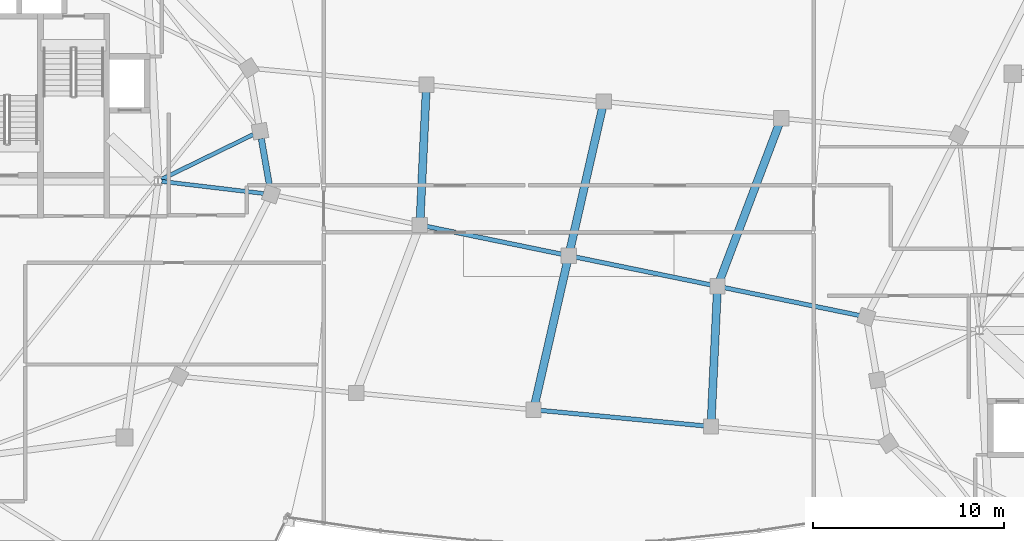
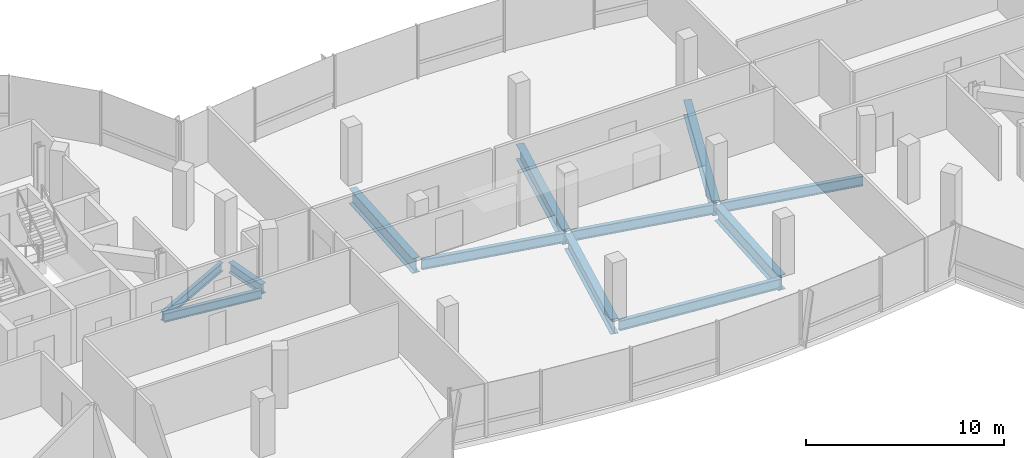
# One storey, part 5 of 26: 12 beams.
"""IFC4 building model written with IfcOpenShell, lengths in metres."""

from ifc_helpers import new_model, si_unit, direction, frame, origin, origin_2d, place, context, subcontext, project, spatial, i_section, extrude, material, material_profile, profile_set, type_object, element, save


model = new_model("IFC4")

# Units and contexts
model_context = context("Model", 3, precision=1e-05, world=origin(), true_north=direction((0.0, 1.0)))
body_context = subcontext(model_context, "Body", "Model", "MODEL_VIEW")
ifc_project = project(units=[si_unit("LENGTHUNIT", "METRE"), si_unit("AREAUNIT", "SQUARE_METRE"), si_unit("VOLUMEUNIT", "CUBIC_METRE"), si_unit("PLANEANGLEUNIT", "RADIAN"), si_unit("MASSUNIT", "GRAM", prefix="KILO"), si_unit("THERMODYNAMICTEMPERATUREUNIT", "KELVIN"), si_unit("POWERUNIT", "WATT")], contexts=[model_context])

# Site, building, storey
site_placement = place(None, origin())
site = spatial("IfcSite", under=ifc_project, at=site_placement, CompositionType="ELEMENT")
building_placement = place(site_placement, origin())
building = spatial("IfcBuilding", under=site, at=building_placement, Name="Cundina Bronze Exchange", CompositionType="ELEMENT")
storey_placement = place(building_placement, frame((0.0, 0.0, 264.800048828125)))
storey = spatial("IfcBuildingStorey", under=building, at=storey_placement, Name="L70", CompositionType="ELEMENT", Elevation=264.800048828125)

# Beams
ifc_material = material(Name="Steel ASTM A992 Grade 50", Category="steel")
ifc_material_profile_1 = material_profile(ifc_material, i_section(OverallWidth=0.2119140625, OverallDepth=0.5439453125, WebThickness=0.01318359375, FlangeThickness=0.021240234375, FilletRadius=0.013916015625, at=origin_2d()), Name="W21X83", Category="steel")
ifc_profile_set_1 = profile_set([ifc_material_profile_1], Name="Steel ASTM A992 Grade 50")
beam_type_1 = type_object("IfcBeamType", Name="BM-FLR-W21A", PredefinedType="BEAM", material=ifc_profile_set_1)
beam_1_placement = place(storey_placement, frame((-21.25537109375, 3.876953125, -0.531982421875), z_axis=(0.993031892142, -0.117845921393, 0.0), x_axis=(0.117845921393, 0.993031892142, 0.0)))
element("IfcBeam", 1, at=beam_1_placement, inside=storey, type_object=beam_type_1, Name="L70 Leg W Radial Floor Beam 00", PredefinedType="BEAM", context=body_context, shape_type="SweptSolid", body=[
    extrude(i_section(OverallWidth=0.2119140625, OverallDepth=0.5439453125, WebThickness=0.01318359375, FlangeThickness=0.021240234375, FilletRadius=0.013916015625, at=origin_2d()), origin(), (0.0, 0.0, 1.0), 5.357421875),
])
beam_2_placement = place(storey_placement, frame((-21.27392578125, 3.986083984375, -0.531982421875), z_axis=(0.898610260891, 0.438747762412, 0.0), x_axis=(-0.438747762412, 0.898610260891, 0.0)))
element("IfcBeam", 2, at=beam_2_placement, inside=storey, type_object=beam_type_1, Name="L70 Leg W Radial Floor Beam 01", PredefinedType="BEAM", context=body_context, shape_type="SweptSolid", body=[
    extrude(i_section(OverallWidth=0.2119140625, OverallDepth=0.5439453125, WebThickness=0.01318359375, FlangeThickness=0.021240234375, FilletRadius=0.013916015625, at=origin_2d()), origin(), (0.0, 0.0, 1.0), 5.341796875),
])
ifc_material_profile_2 = material_profile(ifc_material, i_section(OverallWidth=0.22998046875, OverallDepth=0.616943359375, WebThickness=0.01318359375, FlangeThickness=0.022216796875, FilletRadius=0.013916015625, at=origin_2d()), Name="W24X94", Category="steel")
ifc_profile_set_2 = profile_set([ifc_material_profile_2], Name="Steel ASTM A992 Grade 50")
beam_type_2 = type_object("IfcBeamType", Name="BM-FLR-W24B", PredefinedType="BEAM", material=ifc_profile_set_2)
beam_3_placement = place(storey_placement, frame((-1.658203125, -8.06689453125, -0.628662109375), z_axis=(0.995572136276, -0.094000646124, 0.0), x_axis=(0.094000646124, 0.995572136276, 0.0)))
element("IfcBeam", 3, at=beam_3_placement, inside=storey, type_object=beam_type_2, Name="L70 Sky-Gate Longitudinal Girder Y1-P3", PredefinedType="BEAM", context=body_context, shape_type="SweptSolid", body=[
    extrude(i_section(OverallWidth=0.22998046875, OverallDepth=0.616943359375, WebThickness=0.01318359375, FlangeThickness=0.022216796875, FilletRadius=0.013916015625, at=origin_2d()), origin(), (0.0, 0.0, 1.0), 8.949951171875),
])
for number, where, z_axis, x_axis, name in (
    (4, (-7.5986328125, 1.563720703125, -0.628662109375), (0.979477625294, -0.201552924934, 0.0), (0.201552924934, 0.979477625294, 0.0), "L70 Sky-Gate Longitudinal Girder Y2-P2"),
    (5, (0.17626953125, -0.036376953125, -0.628662109375), (0.979477625294, -0.201552924934, 0.0), (0.201552924934, 0.979477625294, 0.0), "L70 Sky-Gate Longitudinal Girder Y2-P3"),
    (6, (7.951416015625, -1.63623046875, -0.628662109375), (0.979471264571, -0.20158383338, 0.0), (0.20158383338, 0.979471264571, 0.0), "L70 Sky-Gate Longitudinal Girder Y2-P4"),
):
    element("IfcBeam", number, at=place(storey_placement, frame(where, z_axis=z_axis, x_axis=x_axis)), inside=storey, type_object=beam_type_2, Name=name, PredefinedType="BEAM", context=body_context, shape_type="SweptSolid", body=[
        extrude(i_section(OverallWidth=0.22998046875, OverallDepth=0.616943359375, WebThickness=0.01318359375, FlangeThickness=0.022216796875, FilletRadius=0.013916015625, at=origin_2d()), origin(), (0.0, 0.0, 1.0), 7.577880859375),
    ])
ifc_material_profile_3 = material_profile(ifc_material, i_section(OverallWidth=0.324951171875, OverallDepth=0.615966796875, WebThickness=0.013916015625, FlangeThickness=0.021484375, FilletRadius=0.01611328125, at=origin_2d()), Name="W24X117", Category="steel")
ifc_profile_set_3 = profile_set([ifc_material_profile_3], Name="Steel ASTM A992 Grade 50")
beam_type_3 = type_object("IfcBeamType", Name="BM-RING-W24", PredefinedType="USERDEFINED", material=ifc_profile_set_3)
beam_4_placement = place(storey_placement, frame((-15.61669921875, 3.582275390625, -0.568115234375), z_axis=(-0.171593362587, 0.985167862811, 0.0), x_axis=(-0.985167862811, -0.171593362587, 0.0)))
element("IfcBeam", 7, at=beam_4_placement, inside=storey, type_object=beam_type_3, Name="L70 W Perimeter Ring Girder 00", ObjectType="GIRDER", PredefinedType="USERDEFINED", context=body_context, shape_type="SweptSolid", body=[
    extrude(i_section(OverallWidth=0.324951171875, OverallDepth=0.615966796875, WebThickness=0.013916015625, FlangeThickness=0.021484375, FilletRadius=0.01611328125, at=origin_2d()), origin(), (0.0, 0.0, 1.0), 2.57373046875),
])
ifc_material_profile_4 = material_profile(ifc_material, i_section(OverallWidth=0.41796875, OverallDepth=0.927001953125, WebThickness=0.019287109375, FlangeThickness=0.031982421875, FilletRadius=0.02392578125, at=origin_2d()), Name="W36X231", Category="steel")
ifc_profile_set_4 = profile_set([ifc_material_profile_4], Name="Steel ASTM A992 Grade 50")
beam_type_4 = type_object("IfcBeamType", Name="BM-WRN-W36B", PredefinedType="USERDEFINED", material=ifc_profile_set_4)
beam_5_placement = place(storey_placement, frame((-7.7666015625, 1.77978515625, -0.783447265625), z_axis=(0.046881448177, 0.998900460415, 0.0), x_axis=(-0.998900460415, 0.046881448177, 0.0)))
element("IfcBeam", 8, at=beam_5_placement, inside=storey, type_object=beam_type_4, Name="L70 Sky-Gate Transverse Girder X1-N", ObjectType="GIRDER", PredefinedType="USERDEFINED", context=body_context, shape_type="SweptSolid", body=[
    extrude(i_section(OverallWidth=0.41796875, OverallDepth=0.927001953125, WebThickness=0.019287109375, FlangeThickness=0.031982421875, FilletRadius=0.02392578125, at=origin_2d()), origin(), (0.0, 0.0, 1.0), 6.972900390625),
])
for number, where, z_axis, x_axis, name in (
    (9, (-1.79736328125, -7.87451171875, -0.783447265625), (0.222530984599, 0.974925618134, 0.0), (-0.974925618134, 0.222530984599, 0.0), "L70 Sky-Gate Transverse Girder X2-S"),
    (10, (0.0400390625, 0.175537109375, -0.783447265625), (0.222530984599, 0.974925618134, 0.0), (-0.974925618134, 0.222530984599, 0.0), "L70 Sky-Gate Transverse Girder X2-N"),
):
    element("IfcBeam", number, at=place(storey_placement, frame(where, z_axis=z_axis, x_axis=x_axis)), inside=storey, type_object=beam_type_4, Name=name, ObjectType="GIRDER", PredefinedType="USERDEFINED", context=body_context, shape_type="SweptSolid", body=[
        extrude(i_section(OverallWidth=0.41796875, OverallDepth=0.927001953125, WebThickness=0.019287109375, FlangeThickness=0.031982421875, FilletRadius=0.02392578125, at=origin_2d()), origin(), (0.0, 0.0, 1.0), 7.89697265625),
    ])
beam_6_placement = place(storey_placement, frame((7.439697265625, -8.7451171875, -0.783447265625), z_axis=(0.046881448177, 0.998900460415, 0.0), x_axis=(-0.998900460415, 0.046881448177, 0.0)))
element("IfcBeam", 11, at=beam_6_placement, inside=storey, type_object=beam_type_4, Name="L70 Sky-Gate Transverse Girder X3-S", ObjectType="GIRDER", PredefinedType="USERDEFINED", context=body_context, shape_type="SweptSolid", body=[
    extrude(i_section(OverallWidth=0.41796875, OverallDepth=0.927001953125, WebThickness=0.019287109375, FlangeThickness=0.031982421875, FilletRadius=0.02392578125, at=origin_2d()), origin(), (0.0, 0.0, 1.0), 6.972900390625),
])
beam_7_placement = place(storey_placement, frame((7.8388671875, -1.431640625, -0.783447265625), z_axis=(0.354935532146, 0.934890778658, 0.0), x_axis=(-0.934890778658, 0.354935532146, 0.0)))
element("IfcBeam", 12, at=beam_7_placement, inside=storey, type_object=beam_type_4, Name="L70 Sky-Gate Transverse Girder X3-N", ObjectType="GIRDER", PredefinedType="USERDEFINED", context=body_context, shape_type="SweptSolid", body=[
    extrude(i_section(OverallWidth=0.41796875, OverallDepth=0.927001953125, WebThickness=0.019287109375, FlangeThickness=0.031982421875, FilletRadius=0.02392578125, at=origin_2d()), origin(), (0.0, 0.0, 1.0), 9.02587890625),
])

save(model, "model.ifc")
